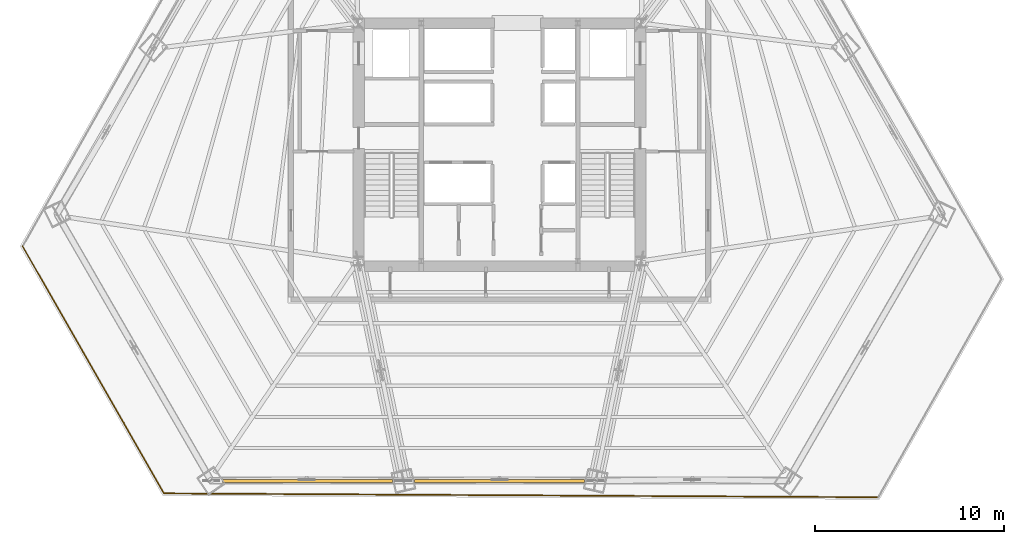
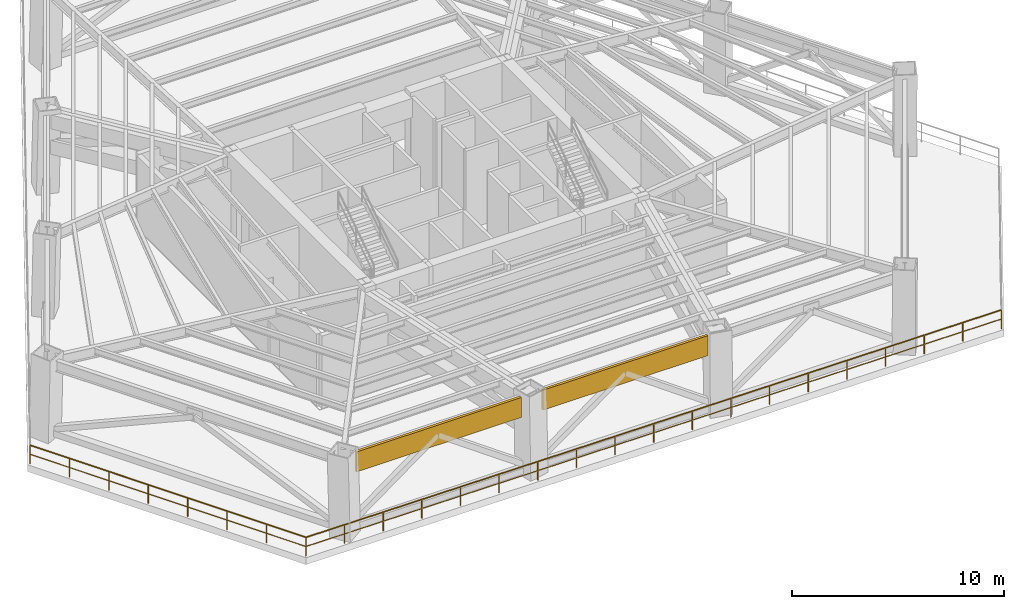
# One storey, part 9 of 13: 2 railings, 2 shading devices.
"""IFC4 building model written with IfcOpenShell, lengths in metres."""

from ifc_helpers import new_model, si_unit, direction, frame, origin, origin_2d, place, context, subcontext, project, spatial, rectangle, extrude, source, transform, mapped, material, layer, layer_set, type_object, type_shapes, element, save


model = new_model("IFC4")

# Units and contexts
model_context = context("Model", 3, precision=1e-05, world=origin(), true_north=direction((0.0, 1.0)))
body_context = subcontext(model_context, "Body", "Model", "MODEL_VIEW")
ifc_project = project(units=[si_unit("LENGTHUNIT", "METRE"), si_unit("AREAUNIT", "SQUARE_METRE"), si_unit("VOLUMEUNIT", "CUBIC_METRE"), si_unit("PLANEANGLEUNIT", "RADIAN"), si_unit("MASSUNIT", "GRAM", prefix="KILO")], contexts=[model_context])

# Site, building, storey
site_placement = place(None, origin())
site = spatial("IfcSite", under=ifc_project, at=site_placement, CompositionType="ELEMENT")
building_placement = place(site_placement, origin())
building = spatial("IfcBuilding", under=site, at=building_placement, Name="Caelisora Broadcast Tower", CompositionType="ELEMENT")
storey_placement = place(building_placement, frame((0.0, 0.0, 75.050048828125)))
storey = spatial("IfcBuildingStorey", under=building, at=storey_placement, Name="L19", CompositionType="ELEMENT", Elevation=75.050048828125)

# Railings
ifc_material_1 = material(Name="Laminated Glass and Stainless Steel Terrace Balustrade", Category="steel")
ifc_layer_1 = layer(ifc_material_1, 0.048095703125, Name="Laminated Glass and Stainless Steel Terrace Balustrade")
ifc_layer_set_1 = layer_set([ifc_layer_1], Name="Laminated Glass and Stainless Steel Terrace Balustrade")
railing_type = type_object("IfcRailingType", Name="BL-1", PredefinedType="BALUSTRADE", material=ifc_layer_set_1)
railing_1_placement = place(storey_placement, frame((58.05810546875, 4.881103515625, 0.0)))
element("IfcRailing", 1, at=railing_1_placement, inside=storey, type_object=railing_type, Name="L19 balustrade BL-1 #03", PredefinedType="BALUSTRADE", context=body_context, shape_type="SweptSolid", body=[
    extrude(rectangle(XDim=0.048095703125, YDim=0.048095703125, at=origin_2d()), frame((0.0, 0.0, 1.076171875), z_axis=(-0.999985205393, 0.005439576753, 0.0), x_axis=(-0.005439576753, -0.999985205393, 0.0)), (0.0, 0.0, 1.0), 37.835693359375),
    extrude(rectangle(XDim=0.03125, YDim=0.03125, at=origin_2d()), frame((0.0, 0.0, 0.550048828125), z_axis=(-0.999985205393, 0.005439576753, 0.0), x_axis=(-0.005439576753, -0.999985205393, 0.0)), (0.0, 0.0, 1.0), 37.835693359375),
    extrude(rectangle(XDim=0.0419921875, YDim=0.0419921875, at=origin_2d()), origin(), (0.0, 0.0, 1.0), 1.052001953125),
    extrude(rectangle(XDim=0.0419921875, YDim=0.0419921875, at=origin_2d()), frame((-2.10205078125, 0.011474609375, 0.0)), (0.0, 0.0, 1.0), 1.052001953125),
    extrude(rectangle(XDim=0.0419921875, YDim=0.0419921875, at=origin_2d()), frame((-4.203857421875, 0.02294921875, 0.0)), (0.0, 0.0, 1.0), 1.052001953125),
    extrude(rectangle(XDim=0.0419921875, YDim=0.0419921875, at=origin_2d()), frame((-6.305908203125, 0.0341796875, 0.0)), (0.0, 0.0, 1.0), 1.052001953125),
    extrude(rectangle(XDim=0.0419921875, YDim=0.0419921875, at=origin_2d()), frame((-8.40771484375, 0.045654296875, 0.0)), (0.0, 0.0, 1.0), 1.052001953125),
    extrude(rectangle(XDim=0.0419921875, YDim=0.0419921875, at=origin_2d()), frame((-10.509765625, 0.05712890625, 0.0)), (0.0, 0.0, 1.0), 1.052001953125),
    extrude(rectangle(XDim=0.0419921875, YDim=0.0419921875, at=origin_2d()), frame((-12.61181640625, 0.068603515625, 0.0)), (0.0, 0.0, 1.0), 1.052001953125),
    extrude(rectangle(XDim=0.0419921875, YDim=0.0419921875, at=origin_2d()), frame((-14.713623046875, 0.080078125, 0.0)), (0.0, 0.0, 1.0), 1.052001953125),
    extrude(rectangle(XDim=0.0419921875, YDim=0.0419921875, at=origin_2d()), frame((-16.815673828125, 0.091552734375, 0.0)), (0.0, 0.0, 1.0), 1.052001953125),
    extrude(rectangle(XDim=0.0419921875, YDim=0.0419921875, at=origin_2d()), frame((-18.91748046875, 0.10302734375, 0.0)), (0.0, 0.0, 1.0), 1.052001953125),
    extrude(rectangle(XDim=0.0419921875, YDim=0.0419921875, at=origin_2d()), frame((-21.01953125, 0.1142578125, 0.0)), (0.0, 0.0, 1.0), 1.052001953125),
    extrude(rectangle(XDim=0.0419921875, YDim=0.0419921875, at=origin_2d()), frame((-23.12158203125, 0.125732421875, 0.0)), (0.0, 0.0, 1.0), 1.052001953125),
    extrude(rectangle(XDim=0.0419921875, YDim=0.0419921875, at=origin_2d()), frame((-25.223388671875, 0.13720703125, 0.0)), (0.0, 0.0, 1.0), 1.052001953125),
    extrude(rectangle(XDim=0.0419921875, YDim=0.0419921875, at=origin_2d()), frame((-27.325439453125, 0.148681640625, 0.0)), (0.0, 0.0, 1.0), 1.052001953125),
    extrude(rectangle(XDim=0.0419921875, YDim=0.0419921875, at=origin_2d()), frame((-29.427490234375, 0.16015625, 0.0)), (0.0, 0.0, 1.0), 1.052001953125),
    extrude(rectangle(XDim=0.0419921875, YDim=0.0419921875, at=origin_2d()), frame((-31.529296875, 0.17138671875, 0.0)), (0.0, 0.0, 1.0), 1.052001953125),
    extrude(rectangle(XDim=0.0419921875, YDim=0.0419921875, at=origin_2d()), frame((-33.63134765625, 0.182861328125, 0.0)), (0.0, 0.0, 1.0), 1.052001953125),
    extrude(rectangle(XDim=0.0419921875, YDim=0.0419921875, at=origin_2d()), frame((-35.733154296875, 0.1943359375, 0.0)), (0.0, 0.0, 1.0), 1.052001953125),
    extrude(rectangle(XDim=0.0419921875, YDim=0.0419921875, at=origin_2d()), frame((-37.835205078125, 0.205810546875, 0.0)), (0.0, 0.0, 1.0), 1.052001953125),
])
railing_2_placement = place(storey_placement, frame((20.222900390625, 5.0869140625, 0.0)))
element("IfcRailing", 2, at=railing_2_placement, inside=storey, type_object=railing_type, Name="L19 balustrade BL-1 #04", PredefinedType="BALUSTRADE", context=body_context, shape_type="SweptSolid", body=[
    extrude(rectangle(XDim=0.048095703125, YDim=0.048095703125, at=origin_2d()), frame((0.0, 0.0, 1.076171875), z_axis=(-0.496649531421, 0.867951175435, 0.0), x_axis=(-0.867951175435, -0.496649531421, 0.0)), (0.0, 0.0, 1.0), 15.0849609375),
    extrude(rectangle(XDim=0.03125, YDim=0.03125, at=origin_2d()), frame((0.0, 0.0, 0.550048828125), z_axis=(-0.496649531421, 0.867951175435, 0.0), x_axis=(-0.867951175435, -0.496649531421, 0.0)), (0.0, 0.0, 1.0), 15.0849609375),
    extrude(rectangle(XDim=0.0419921875, YDim=0.0419921875, at=origin_2d()), origin(), (0.0, 0.0, 1.0), 1.052001953125),
    extrude(rectangle(XDim=0.0419921875, YDim=0.0419921875, at=origin_2d()), frame((-1.0703125, 1.870361328125, 0.0)), (0.0, 0.0, 1.0), 1.052001953125),
    extrude(rectangle(XDim=0.0419921875, YDim=0.0419921875, at=origin_2d()), frame((-2.140625, 3.740966796875, 0.0)), (0.0, 0.0, 1.0), 1.052001953125),
    extrude(rectangle(XDim=0.0419921875, YDim=0.0419921875, at=origin_2d()), frame((-3.2109375, 5.611328125, 0.0)), (0.0, 0.0, 1.0), 1.052001953125),
    extrude(rectangle(XDim=0.0419921875, YDim=0.0419921875, at=origin_2d()), frame((-4.281005859375, 7.481689453125, 0.0)), (0.0, 0.0, 1.0), 1.052001953125),
    extrude(rectangle(XDim=0.0419921875, YDim=0.0419921875, at=origin_2d()), frame((-5.351318359375, 9.35205078125, 0.0)), (0.0, 0.0, 1.0), 1.052001953125),
    extrude(rectangle(XDim=0.0419921875, YDim=0.0419921875, at=origin_2d()), frame((-6.421630859375, 11.22265625, 0.0)), (0.0, 0.0, 1.0), 1.052001953125),
    extrude(rectangle(XDim=0.0419921875, YDim=0.0419921875, at=origin_2d()), frame((-7.491943359375, 13.093017578125, 0.0)), (0.0, 0.0, 1.0), 1.052001953125),
])

# Shading devices
ifc_material_2 = material(Name="Anodised Terracotta Aluminium Acoustic Louvre", Category="aluminium")
ifc_layer_2 = layer(ifc_material_2, 0.139892578125, Name="Anodised Terracotta Aluminium Acoustic Louvre")
ifc_layer_set_2 = layer_set([ifc_layer_2], Name="Anodised Terracotta Aluminium Acoustic Louvre")
shading_device_type = type_object("IfcShadingDeviceType", Name="LV-1", PredefinedType="JALOUSIE", material=ifc_layer_set_2)
shared_shape = source(origin(), body_context, "Body", "SweptSolid", [
    extrude(rectangle(XDim=9.0009765625, YDim=0.139892578125, at=origin_2d()), origin(), (0.0, 0.0, 1.0), 1.14990234375),
])
type_shapes(shading_device_type, [shared_shape])
for number, where, z_axis, x_axis, name in (
    (3, (27.819091796875, 5.739990234375, 3.409912109375), (0.0, 0.0, 1.0), (1.0, 0.0, 0.0), "L19 refuge wind-baffle louvre #5"),
    (4, (38.0, 5.739990234375, 3.409912109375), (0.0, 0.0, 1.0), (1.0, 0.0, 0.0), "L19 refuge wind-baffle louvre #6"),
):
    element("IfcShadingDevice", number, at=place(storey_placement, frame(where, z_axis=z_axis, x_axis=x_axis)), inside=storey, type_object=shading_device_type, Name=name, PredefinedType="JALOUSIE", context=body_context, shape_type="MappedRepresentation", body=[
        mapped(shared_shape, transform((0.0, 0.0, 0.0), scale=1.0)),
    ])

save(model, "model.ifc")
